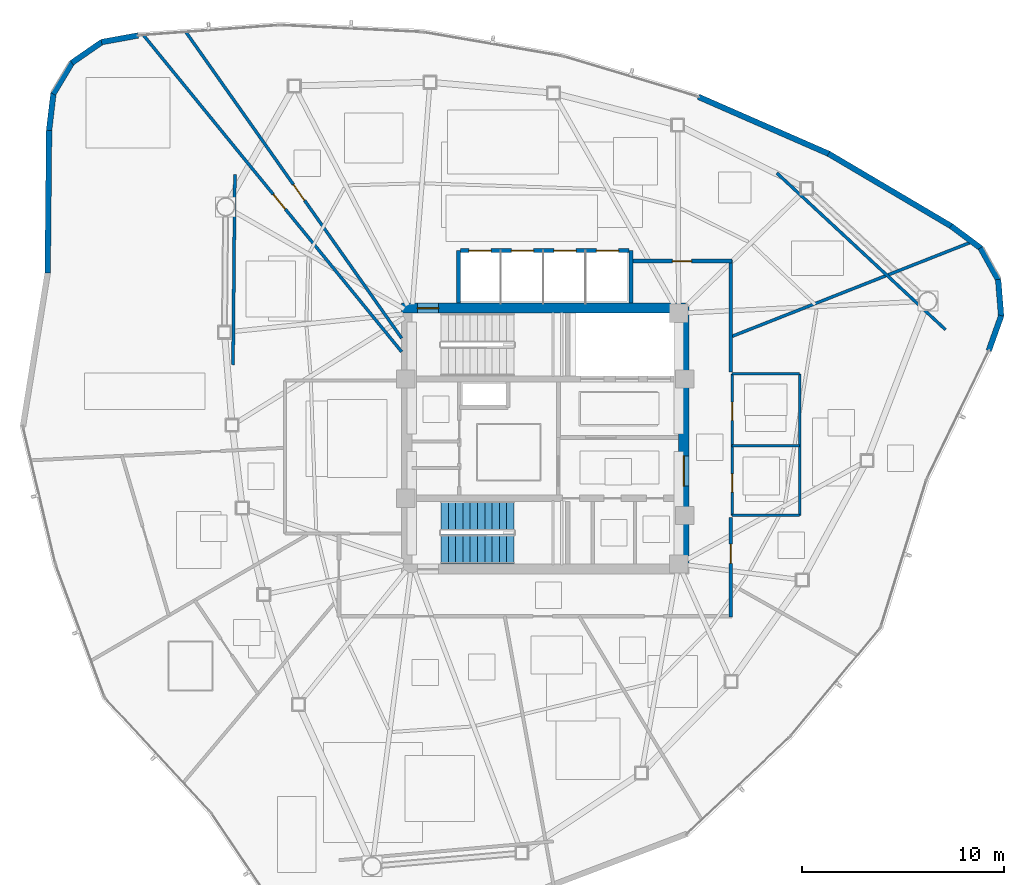
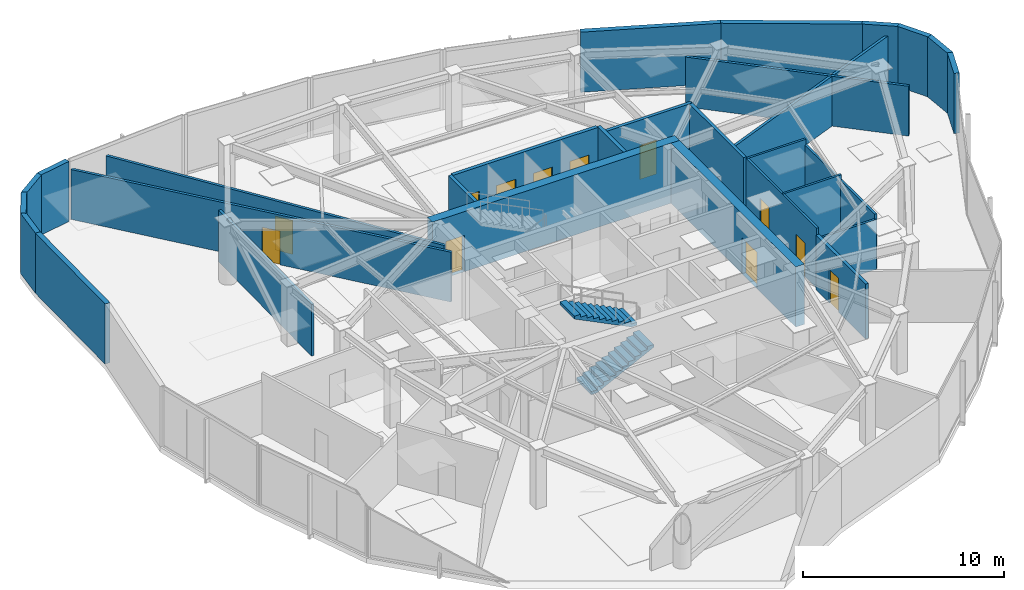
# One storey, part 9 of 13: 29 walls, 12 doors, 2 stair flights, 12 openings, 1 element without a shape of its own.
"""IFC4 building model written with IfcOpenShell, lengths in metres."""

from ifc_helpers import new_model, si_unit, direction, frame, frame_2d, origin, place, context, subcontext, project, spatial, polyline, rectangle, outline, extrude, material, layer, layer_set, type_object, element, fill, aggregate, save


model = new_model("IFC4")

# Units and contexts
model_context = context("Model", 3, precision=1e-05, world=origin(), true_north=direction((0.0, 1.0)))
body_context = subcontext(model_context, "Body", "Model", "MODEL_VIEW")
ifc_project = project(units=[si_unit("LENGTHUNIT", "METRE"), si_unit("AREAUNIT", "SQUARE_METRE"), si_unit("VOLUMEUNIT", "CUBIC_METRE"), si_unit("PLANEANGLEUNIT", "RADIAN"), si_unit("MASSUNIT", "GRAM", prefix="KILO")], contexts=[model_context])

# Site, building, storey
site_placement = place(None, origin())
site = spatial("IfcSite", under=ifc_project, at=site_placement, CompositionType="ELEMENT")
building_placement = place(site_placement, origin())
building = spatial("IfcBuilding", under=site, at=building_placement, Name="Tavelor Broadcast Tower", CompositionType="ELEMENT")
storey_placement = place(building_placement, frame((0.0, 0.0, 237.949951171875)))
storey = spatial("IfcBuildingStorey", under=building, at=storey_placement, Name="L56", CompositionType="ELEMENT", Elevation=237.949951171875)

# Wall, opening, door
ifc_material_1 = material(Name="Concrete C50/60", Category="concrete")
ifc_layer_1 = layer(ifc_material_1, 0.5)
ifc_layer_set_1 = layer_set([ifc_layer_1], Name="Concrete C50/60")
wall_type_1 = type_object("IfcWallType", Name="Core Shear Wall 500 mm", PredefinedType="SHEAR", material=ifc_layer_set_1)
wall_1_placement = place(storey_placement, frame((42.89990234375, 51.449951171875, 0.0), z_axis=(0.0, 0.0, 1.0), x_axis=(1.0, 0.0, 0.0)))
wall_1 = element("IfcWall", 1, at=wall_1_placement, inside=storey, type_object=wall_type_1, Name="L56 Central Core Shear Wall N", PredefinedType="SHEAR", context=body_context, shape_type="SweptSolid", body=[
    extrude(rectangle(XDim=14.2001953125, YDim=0.5, at=frame_2d((7.10009765625, 0.0))), origin(), (0.0, 0.0, 1.0), 3.650146484375),
])
opening_1_placement = place(wall_1_placement, frame((0.780029296875, 0.0, 0.0)))
opening_1 = element("IfcOpeningElement", 2, at=opening_1_placement, cuts=wall_1, Name="Opening DR11", PredefinedType="OPENING", context=body_context, shape_type="SweptSolid", body=[
    extrude(rectangle(XDim=1.050048828125, YDim=2.199951171875, at=frame_2d((0.52490234375, 1.10009765625))), frame((0.0, 0.260009765625, 0.0), z_axis=(0.0, -1.0, 0.0), x_axis=(1.0, 0.0, 0.0)), (0.0, 0.0, 1.0), 0.52001953125),
])
ifc_material_2 = material(Name="Steel S355", Category="steel")
door_type_1 = type_object("IfcDoorType", Name="Stair Core Fire Escape Door 1050x2200", OperationType="NOTDEFINED", PredefinedType="DOOR", material=ifc_material_2)
door_1_placement = place(opening_1_placement, origin())
door_1 = element("IfcDoor", 3, at=door_1_placement, inside=storey, type_object=door_type_1, Name="L56 Stair ST1 Protected Exit Door", OperationType="SINGLE_SWING_LEFT", OverallHeight=2.199951171875, OverallWidth=1.050048828125, PredefinedType="DOOR", context=body_context, shape_type="SweptSolid", body=[
    extrude(rectangle(XDim=1.050048828125, YDim=2.199951171875, at=frame_2d((0.52490234375, 1.10009765625))), frame((0.0, 0.02490234375, 0.0), z_axis=(0.0, -1.0, 0.0), x_axis=(1.0, 0.0, 0.0)), (0.0, 0.0, 1.0), 0.050048828125),
])
fill(opening_1, door_1)

wall_2_placement = place(storey_placement, frame((56.85009765625, 38.800048828125, 0.0), z_axis=(0.0, 0.0, 1.0), x_axis=(0.0, 1.0, 0.0)))
wall_2 = element("IfcWall", 4, at=wall_2_placement, inside=storey, type_object=wall_type_1, Name="L56 Central Core Shear Wall E", PredefinedType="SHEAR", context=body_context, shape_type="SweptSolid", body=[
    extrude(rectangle(XDim=12.39990234375, YDim=0.5, at=frame_2d((6.199951171875, 0.0))), origin(), (0.0, 0.0, 1.0), 3.650146484375),
])
opening_2_placement = place(wall_2_placement, frame((3.85009765625, 0.0, 0.0)))
opening_2 = element("IfcOpeningElement", 5, at=opening_2_placement, cuts=wall_2, Name="Opening DR14", PredefinedType="OPENING", context=body_context, shape_type="SweptSolid", body=[
    extrude(rectangle(XDim=1.5, YDim=2.199951171875, at=frame_2d((0.75, 1.10009765625))), frame((0.0, 0.260009765625, 0.0), z_axis=(0.0, -1.0, 0.0), x_axis=(1.0, 0.0, 0.0)), (0.0, 0.0, 1.0), 0.52001953125),
])
door_type_2 = type_object("IfcDoorType", Name="Firefighting Lobby Double Fire Door 1500x2200", OperationType="NOTDEFINED", PredefinedType="DOOR", material=ifc_material_2)
door_2_placement = place(opening_2_placement, origin())
door_2 = element("IfcDoor", 6, at=door_2_placement, inside=storey, type_object=door_type_2, Name="L56 Central Core Lobby Fire Door", OperationType="SINGLE_SWING_LEFT", OverallHeight=2.199951171875, OverallWidth=1.5, PredefinedType="DOOR", context=body_context, shape_type="SweptSolid", body=[
    extrude(rectangle(XDim=1.5, YDim=2.199951171875, at=frame_2d((0.75, 1.10009765625))), frame((0.0, 0.02490234375, 0.0), z_axis=(0.0, -1.0, 0.0), x_axis=(1.0, 0.0, 0.0)), (0.0, 0.0, 1.0), 0.050048828125),
])
fill(opening_2, door_2)

ifc_material_3 = material(Name="Calcium Silicate Fire Board 180 mm", Category="gypsum")
ifc_layer_2 = layer(ifc_material_3, 0.179931640625)
ifc_layer_set_2 = layer_set([ifc_layer_2], Name="Calcium Silicate Fire Board 180 mm")
wall_type_2 = type_object("IfcWallType", Name="Fire-Rated Corridor Partition Wall 180 mm", PredefinedType="PARTITIONING", material=ifc_layer_set_2)
wall_3_placement = place(storey_placement, frame((54.300048828125, 53.780029296875, 0.0), z_axis=(0.0, 0.0, 1.0), x_axis=(1.0, 0.0, 0.0)))
wall_3 = element("IfcWall", 7, at=wall_3_placement, inside=storey, type_object=wall_type_2, Name="L56 Corridor Compartment Wall 01", PredefinedType="PARTITIONING", context=body_context, shape_type="SweptSolid", body=[
    extrude(rectangle(XDim=4.929931640625, YDim=0.179931640625, at=frame_2d((2.46484375, 0.0))), origin(), (0.0, 0.0, 1.0), 3.650146484375),
])
opening_3_placement = place(wall_3_placement, frame((1.989990234375, 0.0, 0.0)))
opening_3 = element("IfcOpeningElement", 8, at=opening_3_placement, cuts=wall_3, Name="Opening DR18", PredefinedType="OPENING", context=body_context, shape_type="SweptSolid", body=[
    extrude(rectangle(XDim=0.949951171875, YDim=2.050048828125, at=frame_2d((0.47509765625, 1.02490234375))), frame((0.0, 0.10009765625, 0.0), z_axis=(0.0, -1.0, 0.0), x_axis=(1.0, 0.0, 0.0)), (0.0, 0.0, 1.0), 0.199951171875),
])
ifc_material_4 = material(Name="Timber Solid Core Hardwood", Category="wood")
door_type_3 = type_object("IfcDoorType", Name="Corridor Rated Compartment Door 950x2050", OperationType="NOTDEFINED", PredefinedType="DOOR", material=ifc_material_4)
door_3_placement = place(opening_3_placement, origin())
door_3 = element("IfcDoor", 9, at=door_3_placement, inside=storey, type_object=door_type_3, Name="L56 Broadcast Crew Room Door R7", OperationType="SINGLE_SWING_RIGHT", OverallHeight=2.050048828125, OverallWidth=0.949951171875, PredefinedType="DOOR", context=body_context, shape_type="SweptSolid", body=[
    extrude(rectangle(XDim=0.949951171875, YDim=2.050048828125, at=frame_2d((0.47509765625, 1.02490234375))), frame((0.0, 0.02490234375, 0.0), z_axis=(0.0, -1.0, 0.0), x_axis=(1.0, 0.0, 0.0)), (0.0, 0.0, 1.0), 0.050048828125),
])
fill(opening_3, door_3)

# Wall
wall_4_placement = place(storey_placement, frame((59.179931640625, 53.830078125, 0.0), z_axis=(0.0, 0.0, 1.0), x_axis=(0.0, -1.0, 0.0)))
element("IfcWall", 10, at=wall_4_placement, inside=storey, type_object=wall_type_2, Name="L56 Corridor Compartment Wall 02", PredefinedType="PARTITIONING", context=body_context, shape_type="SweptSolid", body=[
    extrude(rectangle(XDim=5.530029296875, YDim=0.179931640625, at=frame_2d((2.76513671875, 0.0))), origin(), (0.0, 0.0, 1.0), 3.650146484375),
])

# Wall, opening, door
wall_5_placement = place(storey_placement, frame((59.179931640625, 41.10009765625, 0.0), z_axis=(0.0, 0.0, 1.0), x_axis=(0.0, -1.0, 0.0)))
wall_5 = element("IfcWall", 11, at=wall_5_placement, inside=storey, type_object=wall_type_2, Name="L56 Corridor Compartment Wall 03", PredefinedType="PARTITIONING", context=body_context, shape_type="SweptSolid", body=[
    extrude(rectangle(XDim=4.93017578125, YDim=0.179931640625, at=frame_2d((2.465087890625, 0.0))), origin(), (0.0, 0.0, 1.0), 3.324951171875),
])
opening_4_placement = place(wall_5_placement, frame((1.315673828125, 0.0, 0.0)))
opening_4 = element("IfcOpeningElement", 12, at=opening_4_placement, cuts=wall_5, Name="Opening DR18", PredefinedType="OPENING", context=body_context, shape_type="SweptSolid", body=[
    extrude(rectangle(XDim=0.949951171875, YDim=2.050048828125, at=frame_2d((0.47509765625, 1.02490234375))), frame((0.0, 0.10009765625, 0.0), z_axis=(0.0, -1.0, 0.0), x_axis=(1.0, 0.0, 0.0)), (0.0, 0.0, 1.0), 0.199951171875),
])
door_4_placement = place(opening_4_placement, origin())
door_4 = element("IfcDoor", 13, at=door_4_placement, inside=storey, type_object=door_type_3, Name="L56 Standards Huddle Room Door R8", OperationType="SINGLE_SWING_LEFT", OverallHeight=2.050048828125, OverallWidth=0.949951171875, PredefinedType="DOOR", context=body_context, shape_type="SweptSolid", body=[
    extrude(rectangle(XDim=0.949951171875, YDim=2.050048828125, at=frame_2d((0.47509765625, 1.02490234375))), frame((0.0, 0.02490234375, 0.0), z_axis=(0.0, -1.0, 0.0), x_axis=(1.0, 0.0, 0.0)), (0.0, 0.0, 1.0), 0.050048828125),
])
fill(opening_4, door_4)

# Walls
ifc_material_5 = material(Name="Precast Concrete C40/50", Category="concrete")
ifc_layer_3 = layer(ifc_material_5, 0.280029296875)
ifc_layer_set_3 = layer_set([ifc_layer_3], Name="Precast Concrete C40/50")
wall_type_3 = type_object("IfcWallType", Name="Insulated Precast Terracotta Facade Wall 280 mm", PredefinedType="STANDARD", material=ifc_layer_set_3)
wall_6_placement = place(storey_placement, frame((29.8662109375, 64.9365234375, 0.0), z_axis=(0.0, 0.0, 1.0), x_axis=(-0.983739710088, -0.17960006346, 0.0)))
element("IfcWall", 14, at=wall_6_placement, inside=storey, type_object=wall_type_3, Name="L56 Rounded Corner Structural Cladding Pier 01", PredefinedType="STANDARD", context=body_context, shape_type="SweptSolid", body=[
    extrude(rectangle(XDim=1.833740234375, YDim=0.280029296875, at=frame_2d((0.9169921875, 0.0))), origin(), (0.0, 0.0, 1.0), 3.650146484375),
])
wall_7_placement = place(storey_placement, frame((28.08935546875, 64.618408203125, 0.0), z_axis=(0.0, 0.0, 1.0), x_axis=(-0.822573078876, -0.568659414684, 0.0)))
element("IfcWall", 15, at=wall_7_placement, inside=storey, type_object=wall_type_3, Name="L56 Rounded Corner Structural Cladding Pier 02", PredefinedType="STANDARD", context=body_context, shape_type="SweptSolid", body=[
    extrude(rectangle(XDim=1.822021484375, YDim=0.280029296875, at=frame_2d((0.9111328125, 0.0))), origin(), (0.0, 0.0, 1.0), 3.650146484375),
])
wall_8_placement = place(storey_placement, frame((26.610595703125, 63.603759765625, 0.0), z_axis=(0.0, 0.0, 1.0), x_axis=(-0.515775755585, -0.856723625186, 0.0)))
element("IfcWall", 16, at=wall_8_placement, inside=storey, type_object=wall_type_3, Name="L56 Rounded Corner Structural Cladding Pier 03", PredefinedType="STANDARD", context=body_context, shape_type="SweptSolid", body=[
    extrude(rectangle(XDim=1.822265625, YDim=0.280029296875, at=frame_2d((0.9111328125, 0.0))), origin(), (0.0, 0.0, 1.0), 3.650146484375),
])
wall_9_placement = place(storey_placement, frame((25.68017578125, 62.0703125, 0.0), z_axis=(0.0, 0.0, 1.0), x_axis=(-0.117516916599, -0.99307088081, 0.0)))
element("IfcWall", 17, at=wall_9_placement, inside=storey, type_object=wall_type_3, Name="L56 Rounded Corner Structural Cladding Pier 04", PredefinedType="STANDARD", context=body_context, shape_type="SweptSolid", body=[
    extrude(rectangle(XDim=1.8447265625, YDim=0.280029296875, at=frame_2d((0.92236328125, 0.0))), origin(), (0.0, 0.0, 1.0), 3.650146484375),
])
wall_10_placement = place(storey_placement, frame((25.465087890625, 60.268310546875, 0.0), z_axis=(0.0, 0.0, 1.0), x_axis=(-0.010063250538, -0.999949364212, 0.0)))
element("IfcWall", 18, at=wall_10_placement, inside=storey, type_object=wall_type_3, Name="L56 Rounded Corner Structural Cladding Pier 05", PredefinedType="STANDARD", context=body_context, shape_type="SweptSolid", body=[
    extrude(rectangle(XDim=7.083984375, YDim=0.280029296875, at=frame_2d((3.5419921875, 0.0))), origin(), (0.0, 0.0, 1.0), 3.650146484375),
])
wall_11_placement = place(storey_placement, frame((71.932373046875, 49.350341796875, 0.0), z_axis=(0.0, 0.0, 1.0), x_axis=(0.336403861594, 0.941717814371, 0.0)))
element("IfcWall", 19, at=wall_11_placement, inside=storey, type_object=wall_type_3, Name="L56 Rounded Corner Structural Cladding Pier 21", PredefinedType="STANDARD", context=body_context, shape_type="SweptSolid", body=[
    extrude(rectangle(XDim=1.833984375, YDim=0.280029296875, at=frame_2d((0.9169921875, 0.0))), origin(), (0.0, 0.0, 1.0), 3.650146484375),
])
wall_12_placement = place(storey_placement, frame((72.54541015625, 51.048095703125, 0.0), z_axis=(0.0, 0.0, 1.0), x_axis=(-0.081049675837, 0.996710063181, 0.0)))
element("IfcWall", 20, at=wall_12_placement, inside=storey, type_object=wall_type_3, Name="L56 Rounded Corner Structural Cladding Pier 22", PredefinedType="STANDARD", context=body_context, shape_type="SweptSolid", body=[
    extrude(rectangle(XDim=1.822509765625, YDim=0.280029296875, at=frame_2d((0.9111328125, 0.0))), origin(), (0.0, 0.0, 1.0), 3.650146484375),
])
wall_13_placement = place(storey_placement, frame((72.406005859375, 52.83642578125, 0.0), z_axis=(0.0, 0.0, 1.0), x_axis=(-0.484072298636, 0.875028005091, 0.0)))
element("IfcWall", 21, at=wall_13_placement, inside=storey, type_object=wall_type_3, Name="L56 Rounded Corner Structural Cladding Pier 23", PredefinedType="STANDARD", context=body_context, shape_type="SweptSolid", body=[
    extrude(rectangle(XDim=1.822265625, YDim=0.280029296875, at=frame_2d((0.9111328125, 0.0))), origin(), (0.0, 0.0, 1.0), 3.650146484375),
])
wall_14_placement = place(storey_placement, frame((71.543212890625, 54.40869140625, 0.0), z_axis=(0.0, 0.0, 1.0), x_axis=(-0.801173626073, 0.598431968468, 0.0)))
element("IfcWall", 22, at=wall_14_placement, inside=storey, type_object=wall_type_3, Name="L56 Rounded Corner Structural Cladding Pier 24", PredefinedType="STANDARD", context=body_context, shape_type="SweptSolid", body=[
    extrude(rectangle(XDim=1.8447265625, YDim=0.280029296875, at=frame_2d((0.92236328125, 0.0))), origin(), (0.0, 0.0, 1.0), 3.650146484375),
])
wall_15_placement = place(storey_placement, frame((70.090087890625, 55.49609375, 0.0), z_axis=(0.0, 0.0, 1.0), x_axis=(-0.860964362872, 0.508665278807, 0.0)))
element("IfcWall", 23, at=wall_15_placement, inside=storey, type_object=wall_type_3, Name="L56 Rounded Corner Structural Cladding Pier 25", PredefinedType="STANDARD", context=body_context, shape_type="SweptSolid", body=[
    extrude(rectangle(XDim=7.06494140625, YDim=0.280029296875, at=frame_2d((3.532470703125, 0.0))), origin(), (0.0, 0.0, 1.0), 3.650146484375),
])
wall_16_placement = place(storey_placement, frame((64.033935546875, 59.076171875, 0.0), z_axis=(0.0, 0.0, 1.0), x_axis=(-0.916179577636, 0.400767989643, 0.0)))
element("IfcWall", 24, at=wall_16_placement, inside=storey, type_object=wall_type_3, Name="L56 Rounded Corner Structural Cladding Pier 26", PredefinedType="STANDARD", context=body_context, shape_type="SweptSolid", body=[
    extrude(rectangle(XDim=7.05322265625, YDim=0.280029296875, at=frame_2d((3.526611328125, 0.0))), origin(), (0.0, 0.0, 1.0), 3.650146484375),
])
ifc_material_6 = material(Name="Gypsum Acoustic Plasterboard 150 mm", Category="gypsum")
ifc_layer_4 = layer(ifc_material_6, 0.14990234375)
ifc_layer_set_4 = layer_set([ifc_layer_4], Name="Gypsum Acoustic Plasterboard 150 mm")
wall_type_4 = type_object("IfcWallType", Name="Interior Acoustic Partition Wall 150 mm", PredefinedType="PARTITIONING", material=ifc_layer_set_4)
wall_17_placement = place(storey_placement, frame((34.651611328125, 58.0556640625, 0.0), z_axis=(0.0, 0.0, 1.0), x_axis=(-0.009553538759, -0.999954363907, 0.0)))
element("IfcWall", 25, at=wall_17_placement, inside=storey, type_object=wall_type_4, Name="L56 Corner Tube Brace Furring Wall 1", PredefinedType="PARTITIONING", context=body_context, shape_type="SweptSolid", body=[
    extrude(rectangle(XDim=9.404296875, YDim=0.14990234375, at=frame_2d((4.7021484375, 0.0))), origin(), (0.0, 0.0, 1.0), 3.135009765625),
])
wall_18_placement = place(storey_placement, frame((69.79248046875, 50.387939453125, 0.0), z_axis=(0.0, 0.0, 1.0), x_axis=(-0.732769799181, 0.680476613418, 0.0)))
element("IfcWall", 26, at=wall_18_placement, inside=storey, type_object=wall_type_4, Name="L56 Corner Tube Brace Furring Wall 3", PredefinedType="PARTITIONING", context=body_context, shape_type="SweptSolid", body=[
    extrude(rectangle(XDim=11.377685546875, YDim=0.14990234375, at=frame_2d((5.68896484375, 0.0))), origin(), (0.0, 0.0, 1.0), 3.025146484375),
])
wall_19_placement = place(storey_placement, frame((59.179931640625, 50.0341796875, 0.0), z_axis=(0.0, 0.0, 1.0), x_axis=(0.930421367736, 0.366491580339, 0.0)))
element("IfcWall", 27, at=wall_19_placement, inside=storey, type_object=wall_type_4, Name="L56 Radial Compartment Wall 01", PredefinedType="PARTITIONING", context=body_context, shape_type="SweptSolid", body=[
    extrude(rectangle(XDim=12.832763671875, YDim=0.14990234375, at=frame_2d((6.41650390625, 0.0))), origin(), (0.0, 0.0, 1.0), 3.025146484375),
])

# Wall, opening, door
wall_20_placement = place(storey_placement, frame((42.89990234375, 49.9658203125, 0.0), z_axis=(0.0, 0.0, 1.0), x_axis=(-0.576086344137, 0.817388845103, 0.0)))
wall_20 = element("IfcWall", 28, at=wall_20_placement, inside=storey, type_object=wall_type_4, Name="L56 Radial Compartment Wall 02", PredefinedType="PARTITIONING", context=body_context, shape_type="SweptSolid", body=[
    extrude(rectangle(XDim=18.53759765625, YDim=0.14990234375, at=frame_2d((9.268798828125, 0.0))), origin(), (0.0, 0.0, 1.0), 3.025146484375),
])
opening_5_placement = place(wall_20_placement, frame((8.341796875, 0.0, 0.0)))
opening_5 = element("IfcOpeningElement", 29, at=opening_5_placement, cuts=wall_20, Name="Opening DR18", PredefinedType="OPENING", context=body_context, shape_type="SweptSolid", body=[
    extrude(rectangle(XDim=0.949951171875, YDim=2.050048828125, at=frame_2d((0.47509765625, 1.02490234375))), frame((0.0, 0.0849609375, 0.0), z_axis=(0.0, -1.0, 0.0), x_axis=(1.0, 0.0, 0.0)), (0.0, 0.0, 1.0), 0.169921875),
])
door_5_placement = place(opening_5_placement, origin())
door_5 = element("IfcDoor", 30, at=door_5_placement, inside=storey, type_object=door_type_3, Name="L56 Suite Connecting Door 6", OperationType="SINGLE_SWING_LEFT", OverallHeight=2.050048828125, OverallWidth=0.949951171875, PredefinedType="DOOR", context=body_context, shape_type="SweptSolid", body=[
    extrude(rectangle(XDim=0.949951171875, YDim=2.050048828125, at=frame_2d((0.47509765625, 1.02490234375))), frame((0.0, 0.02490234375, 0.0), z_axis=(0.0, -1.0, 0.0), x_axis=(1.0, 0.0, 0.0)), (0.0, 0.0, 1.0), 0.050048828125),
])
fill(opening_5, door_5)

wall_21_placement = place(storey_placement, frame((42.89990234375, 49.2919921875, 0.0), z_axis=(0.0, 0.0, 1.0), x_axis=(-0.631970108663, 0.77499276239, 0.0)))
wall_21 = element("IfcWall", 31, at=wall_21_placement, inside=storey, type_object=wall_type_4, Name="L56 Radial Compartment Wall 03", PredefinedType="PARTITIONING", context=body_context, shape_type="SweptSolid", body=[
    extrude(rectangle(XDim=20.222900390625, YDim=0.14990234375, at=frame_2d((10.111328125, 0.0))), origin(), (0.0, 0.0, 1.0), 3.025146484375),
])
opening_6_placement = place(wall_21_placement, frame((9.100341796875, 0.0, 0.0)))
opening_6 = element("IfcOpeningElement", 32, at=opening_6_placement, cuts=wall_21, Name="Opening DR18", PredefinedType="OPENING", context=body_context, shape_type="SweptSolid", body=[
    extrude(rectangle(XDim=0.949951171875, YDim=2.050048828125, at=frame_2d((0.47509765625, 1.02490234375))), frame((0.0, 0.0849609375, 0.0), z_axis=(0.0, -1.0, 0.0), x_axis=(1.0, 0.0, 0.0)), (0.0, 0.0, 1.0), 0.169921875),
])
door_6_placement = place(opening_6_placement, origin())
door_6 = element("IfcDoor", 33, at=door_6_placement, inside=storey, type_object=door_type_3, Name="L56 Suite Connecting Door 5", OperationType="SINGLE_SWING_RIGHT", OverallHeight=2.050048828125, OverallWidth=0.949951171875, PredefinedType="DOOR", context=body_context, shape_type="SweptSolid", body=[
    extrude(rectangle(XDim=0.949951171875, YDim=2.050048828125, at=frame_2d((0.47509765625, 1.02490234375))), frame((0.0, 0.02490234375, 0.0), z_axis=(0.0, -1.0, 0.0), x_axis=(1.0, 0.0, 0.0)), (0.0, 0.0, 1.0), 0.050048828125),
])
fill(opening_6, door_6)

# Wall, openings, doors
ifc_material_7 = material(Name="Concrete Blockwork 200 mm", Category="masonry")
ifc_layer_5 = layer(ifc_material_7, 0.199951171875)
ifc_layer_set_5 = layer_set([ifc_layer_5], Name="Concrete Blockwork 200 mm")
wall_type_5 = type_object("IfcWallType", Name="Lift Hoistway Rated Front Wall 200 mm", PredefinedType="PARTITIONING", material=ifc_layer_set_5)
wall_22_placement = place(storey_placement, frame((45.820068359375, 54.300048828125, 0.0), z_axis=(0.0, 0.0, 1.0), x_axis=(1.0, 0.0, 0.0)))
wall_22 = element("IfcWall", 34, at=wall_22_placement, inside=storey, type_object=wall_type_5, Name="L56 High-Rise Lift Hoistway Front Wall", PredefinedType="PARTITIONING", context=body_context, shape_type="SweptSolid", body=[
    extrude(rectangle(XDim=8.309814453125, YDim=0.199951171875, at=frame_2d((4.15478515625, 0.0))), origin(), (0.0, 0.0, 1.0), 3.650146484375),
])
opening_7_placement = place(wall_22_placement, frame((0.405029296875, 0.0, 0.0)))
opening_7 = element("IfcOpeningElement", 35, at=opening_7_placement, cuts=wall_22, Name="Opening LD01", PredefinedType="OPENING", context=body_context, shape_type="SweptSolid", body=[
    extrude(rectangle(XDim=1.10009765625, YDim=2.14990234375, at=frame_2d((0.550048828125, 1.074951171875))), frame((0.0, 0.10986328125, 0.0), z_axis=(0.0, -1.0, 0.0), x_axis=(1.0, 0.0, 0.0)), (0.0, 0.0, 1.0), 0.219970703125),
])
opening_8_placement = place(wall_22_placement, frame((2.5048828125, 0.0, 0.0)))
opening_8 = element("IfcOpeningElement", 36, at=opening_8_placement, cuts=wall_22, Name="Opening LD01", PredefinedType="OPENING", context=body_context, shape_type="SweptSolid", body=[
    extrude(rectangle(XDim=1.10009765625, YDim=2.14990234375, at=frame_2d((0.550048828125, 1.074951171875))), frame((0.0, 0.10986328125, 0.0), z_axis=(0.0, -1.0, 0.0), x_axis=(1.0, 0.0, 0.0)), (0.0, 0.0, 1.0), 0.219970703125),
])
opening_9_placement = place(wall_22_placement, frame((4.60498046875, 0.0, 0.0)))
opening_9 = element("IfcOpeningElement", 37, at=opening_9_placement, cuts=wall_22, Name="Opening LD01", PredefinedType="OPENING", context=body_context, shape_type="SweptSolid", body=[
    extrude(rectangle(XDim=1.10009765625, YDim=2.14990234375, at=frame_2d((0.550048828125, 1.074951171875))), frame((0.0, 0.10986328125, 0.0), z_axis=(0.0, -1.0, 0.0), x_axis=(1.0, 0.0, 0.0)), (0.0, 0.0, 1.0), 0.219970703125),
])
opening_10_placement = place(wall_22_placement, frame((6.705078125, 0.0, 0.0)))
opening_10 = element("IfcOpeningElement", 38, at=opening_10_placement, cuts=wall_22, Name="Opening LD01", PredefinedType="OPENING", context=body_context, shape_type="SweptSolid", body=[
    extrude(rectangle(XDim=1.10009765625, YDim=2.14990234375, at=frame_2d((0.550048828125, 1.074951171875))), frame((0.0, 0.10986328125, 0.0), z_axis=(0.0, -1.0, 0.0), x_axis=(1.0, 0.0, 0.0)), (0.0, 0.0, 1.0), 0.219970703125),
])
ifc_material_8 = material(Name="Brushed Stainless Steel", Category="steel")
door_type_4 = type_object("IfcDoorType", Name="Passenger Lift Sliding Landing Door 1100x2150", OperationType="NOTDEFINED", PredefinedType="DOOR", material=ifc_material_8)
door_7_placement = place(opening_7_placement, origin())
door_7 = element("IfcDoor", 39, at=door_7_placement, inside=storey, type_object=door_type_4, Name="L56 Lift PLH1 Sliding Landing Door", OperationType="SLIDING_TO_LEFT", OverallHeight=2.14990234375, OverallWidth=1.10009765625, PredefinedType="DOOR", context=body_context, shape_type="SweptSolid", body=[
    extrude(rectangle(XDim=1.10009765625, YDim=2.14990234375, at=frame_2d((0.550048828125, 1.074951171875))), frame((0.0, 0.02490234375, 0.0), z_axis=(0.0, -1.0, 0.0), x_axis=(1.0, 0.0, 0.0)), (0.0, 0.0, 1.0), 0.050048828125),
])
fill(opening_7, door_7)
door_8_placement = place(opening_8_placement, origin())
door_8 = element("IfcDoor", 40, at=door_8_placement, inside=storey, type_object=door_type_4, Name="L56 Lift PLH2 Sliding Landing Door", OperationType="SLIDING_TO_RIGHT", OverallHeight=2.14990234375, OverallWidth=1.10009765625, PredefinedType="DOOR", context=body_context, shape_type="SweptSolid", body=[
    extrude(rectangle(XDim=1.10009765625, YDim=2.14990234375, at=frame_2d((0.550048828125, 1.074951171875))), frame((0.0, 0.02490234375, 0.0), z_axis=(0.0, -1.0, 0.0), x_axis=(1.0, 0.0, 0.0)), (0.0, 0.0, 1.0), 0.050048828125),
])
fill(opening_8, door_8)
door_9_placement = place(opening_9_placement, origin())
door_9 = element("IfcDoor", 41, at=door_9_placement, inside=storey, type_object=door_type_4, Name="L56 Lift PLH3 Sliding Landing Door", OperationType="SLIDING_TO_LEFT", OverallHeight=2.14990234375, OverallWidth=1.10009765625, PredefinedType="DOOR", context=body_context, shape_type="SweptSolid", body=[
    extrude(rectangle(XDim=1.10009765625, YDim=2.14990234375, at=frame_2d((0.550048828125, 1.074951171875))), frame((0.0, 0.02490234375, 0.0), z_axis=(0.0, -1.0, 0.0), x_axis=(1.0, 0.0, 0.0)), (0.0, 0.0, 1.0), 0.050048828125),
])
fill(opening_9, door_9)
door_10_placement = place(opening_10_placement, origin())
door_10 = element("IfcDoor", 42, at=door_10_placement, inside=storey, type_object=door_type_4, Name="L56 Lift PLH4 Sliding Landing Door", OperationType="SLIDING_TO_RIGHT", OverallHeight=2.14990234375, OverallWidth=1.10009765625, PredefinedType="DOOR", context=body_context, shape_type="SweptSolid", body=[
    extrude(rectangle(XDim=1.10009765625, YDim=2.14990234375, at=frame_2d((0.550048828125, 1.074951171875))), frame((0.0, 0.02490234375, 0.0), z_axis=(0.0, -1.0, 0.0), x_axis=(1.0, 0.0, 0.0)), (0.0, 0.0, 1.0), 0.050048828125),
])
fill(opening_10, door_10)

# Walls
ifc_layer_6 = layer(ifc_material_7, 0.199951171875)
ifc_layer_set_6 = layer_set([ifc_layer_6], Name="Concrete Blockwork 200 mm")
wall_type_6 = type_object("IfcWallType", Name="Lift and Riser Shaft Enclosure Wall 200 mm", PredefinedType="PARTITIONING", material=ifc_layer_set_6)
for number, where, z_axis, x_axis, name in (
    (43, (45.699951171875, 51.699951171875, 0.0), (0.0, 0.0, 1.0), (0.0, 1.0, 0.0), "L56 High-Rise Lift Shaft West Wall"),
    (44, (54.25, 51.699951171875, 0.0), (0.0, 0.0, 1.0), (0.0, 1.0, 0.0), "L56 High-Rise Lift Shaft East Wall"),
):
    element("IfcWall", number, at=place(storey_placement, frame(where, z_axis=z_axis, x_axis=x_axis)), inside=storey, type_object=wall_type_6, Name=name, PredefinedType="PARTITIONING", context=body_context, shape_type="SweptSolid", body=[
        extrude(rectangle(XDim=2.60009765625, YDim=0.199951171875, at=frame_2d((1.300048828125, 0.0))), origin(), (0.0, 0.0, 1.0), 3.650146484375),
    ])

# Wall, openings, doors
ifc_material_9 = material(Name="Moisture-Resistant Plasterboard 120 mm", Category="gypsum")
ifc_layer_7 = layer(ifc_material_9, 0.1201171875)
ifc_layer_set_7 = layer_set([ifc_layer_7], Name="Moisture-Resistant Plasterboard 120 mm")
wall_type_7 = type_object("IfcWallType", Name="Moisture-Resistant Wet-Room Partition 120 mm", PredefinedType="PARTITIONING", material=ifc_layer_set_7)
wall_23_placement = place(storey_placement, frame((59.239990234375, 41.199951171875, 0.0), z_axis=(0.0, 0.0, 1.0), x_axis=(0.0, 1.0, 0.0)))
wall_23 = element("IfcWall", 45, at=wall_23_placement, inside=storey, type_object=wall_type_7, Name="L56 Floor Washrooms West Wall", PredefinedType="PARTITIONING", context=body_context, shape_type="SweptSolid", body=[
    extrude(rectangle(XDim=7.0, YDim=0.1201171875, at=frame_2d((3.5, 0.0))), origin(), (0.0, 0.0, 1.0), 3.650146484375),
])
opening_11_placement = place(wall_23_placement, frame((1.14990234375, 0.0, 0.0)))
opening_11 = element("IfcOpeningElement", 46, at=opening_11_placement, cuts=wall_23, Name="Opening DR32", PredefinedType="OPENING", context=body_context, shape_type="SweptSolid", body=[
    extrude(rectangle(XDim=0.89990234375, YDim=2.050048828125, at=frame_2d((0.449951171875, 1.02490234375))), frame((0.0, 0.070068359375, 0.0), z_axis=(0.0, -1.0, 0.0), x_axis=(1.0, 0.0, 0.0)), (0.0, 0.0, 1.0), 0.14013671875),
])
opening_12_placement = place(wall_23_placement, frame((4.699951171875, 0.0, 0.0)))
opening_12 = element("IfcOpeningElement", 47, at=opening_12_placement, cuts=wall_23, Name="Opening DR32", PredefinedType="OPENING", context=body_context, shape_type="SweptSolid", body=[
    extrude(rectangle(XDim=0.89990234375, YDim=2.050048828125, at=frame_2d((0.449951171875, 1.02490234375))), frame((0.0, 0.070068359375, 0.0), z_axis=(0.0, -1.0, 0.0), x_axis=(1.0, 0.0, 0.0)), (0.0, 0.0, 1.0), 0.14013671875),
])
door_type_5 = type_object("IfcDoorType", Name="Accessible Washroom Door 900x2050", OperationType="NOTDEFINED", PredefinedType="DOOR", material=ifc_material_4)
door_11_placement = place(opening_11_placement, origin())
door_11 = element("IfcDoor", 48, at=door_11_placement, inside=storey, type_object=door_type_5, Name="L56 Accessible WC Door", OperationType="SINGLE_SWING_LEFT", OverallHeight=2.050048828125, OverallWidth=0.89990234375, PredefinedType="DOOR", context=body_context, shape_type="SweptSolid", body=[
    extrude(rectangle(XDim=0.89990234375, YDim=2.050048828125, at=frame_2d((0.449951171875, 1.02490234375))), frame((0.0, 0.02490234375, 0.0), z_axis=(0.0, -1.0, 0.0), x_axis=(1.0, 0.0, 0.0)), (0.0, 0.0, 1.0), 0.050048828125),
])
fill(opening_11, door_11)
door_12_placement = place(opening_12_placement, origin())
door_12 = element("IfcDoor", 49, at=door_12_placement, inside=storey, type_object=door_type_5, Name="L56 Staff Washroom WC Door", OperationType="SINGLE_SWING_RIGHT", OverallHeight=2.050048828125, OverallWidth=0.89990234375, PredefinedType="DOOR", context=body_context, shape_type="SweptSolid", body=[
    extrude(rectangle(XDim=0.89990234375, YDim=2.050048828125, at=frame_2d((0.449951171875, 1.02490234375))), frame((0.0, 0.02490234375, 0.0), z_axis=(0.0, -1.0, 0.0), x_axis=(1.0, 0.0, 0.0)), (0.0, 0.0, 1.0), 0.050048828125),
])
fill(opening_12, door_12)

# Walls
wall_24_placement = place(storey_placement, frame((59.239990234375, 41.199951171875, 0.0), z_axis=(0.0, 0.0, 1.0), x_axis=(1.0, 0.0, 0.0)))
element("IfcWall", 50, at=wall_24_placement, inside=storey, type_object=wall_type_7, Name="L56 Floor Washrooms South Wall", PredefinedType="PARTITIONING", context=body_context, shape_type="SweptSolid", body=[
    extrude(rectangle(XDim=3.340087890625, YDim=0.1201171875, at=frame_2d((1.669921875, 0.0))), origin(), (0.0, 0.0, 1.0), 3.025146484375),
])
for number, where, z_axis, x_axis, name in (
    (51, (59.239990234375, 44.64990234375, 0.0), (0.0, 0.0, 1.0), (1.0, 0.0, 0.0), "L56 Floor Washrooms Divider Wall"),
    (52, (59.239990234375, 48.199951171875, 0.0), (0.0, 0.0, 1.0), (1.0, 0.0, 0.0), "L56 Floor Washrooms North Wall"),
):
    element("IfcWall", number, at=place(storey_placement, frame(where, z_axis=z_axis, x_axis=x_axis)), inside=storey, type_object=wall_type_7, Name=name, PredefinedType="PARTITIONING", context=body_context, shape_type="SweptSolid", body=[
        extrude(rectangle(XDim=3.340087890625, YDim=0.1201171875, at=frame_2d((1.669921875, 0.0))), origin(), (0.0, 0.0, 1.0), 3.650146484375),
    ])
wall_25_placement = place(storey_placement, frame((62.580078125, 41.199951171875, 0.0), z_axis=(0.0, 0.0, 1.0), x_axis=(0.0, 1.0, 0.0)))
element("IfcWall", 53, at=wall_25_placement, inside=storey, type_object=wall_type_7, Name="L56 Floor Washrooms East Wall", PredefinedType="PARTITIONING", context=body_context, shape_type="SweptSolid", body=[
    extrude(rectangle(XDim=7.0, YDim=0.1201171875, at=frame_2d((3.5, 0.0))), origin(), (0.0, 0.0, 1.0), 3.324951171875),
])

# Stair, stair flights
ifc_material_10 = material(Name="Concrete C40/50", Category="concrete")
stair_type = type_object("IfcStairType", Name="Reinforced Concrete Protected Dogleg Stair 1450 mm", PredefinedType="HALF_TURN_STAIR", material=ifc_material_10)
stair_placement = place(storey_placement, origin())
stair = element("IfcStair", 54, at=stair_placement, inside=storey, type_object=stair_type, Name="L56 Protected Core Exit Stair ST2", PredefinedType="HALF_TURN_STAIR")
stair_flight_type = type_object("IfcStairFlightType", Name="Reinforced Concrete Stair Flight 1450 mm", PredefinedType="STRAIGHT", material=ifc_material_10)
stair_flight_1_placement = place(storey_placement, frame((44.85009765625, 39.52490234375, 0.0), z_axis=(0.0, 0.0, 1.0), x_axis=(1.0, 0.0, 0.0)))
stair_flight_1 = element("IfcStairFlight", 55, at=stair_flight_1_placement, type_object=stair_flight_type, Name="ST2 flight 1", NumberOfRisers=11, NumberOfTreads=10, PredefinedType="STRAIGHT", RiserHeight=0.179545455, TreadLength=0.36, context=body_context, shape_type="SweptSolid", body=[
    extrude(outline(polyline([(0.0, 0.0), (0.0, 0.179443359375), (0.360107421875, 0.179443359375), (0.360107421875, 0.359130859375), (0.719970703125, 0.359130859375), (0.719970703125, 0.53857421875), (1.080078125, 0.53857421875), (1.080078125, 0.71826171875), (1.43994140625, 0.71826171875), (1.43994140625, 0.897705078125), (1.800048828125, 0.897705078125), (1.800048828125, 1.077392578125), (2.159912109375, 1.077392578125), (2.159912109375, 1.2568359375), (2.52001953125, 1.2568359375), (2.52001953125, 1.436279296875), (2.8798828125, 1.436279296875), (2.8798828125, 1.615966796875), (3.239990234375, 1.615966796875), (3.239990234375, 1.79541015625), (3.60009765625, 1.79541015625), (3.60009765625, 1.97509765625), (3.60009765625, 1.6279296875), (0.3359375, 0.0), (0.0, 0.0)])), frame((0.0, 0.72509765625, 0.0), z_axis=(0.0, -1.0, 0.0), x_axis=(1.0, 0.0, 0.0)), (0.0, 0.0, 1.0), 1.449951171875),
])
stair_flight_2_placement = place(storey_placement, frame((48.449951171875, 41.175048828125, 1.97509765625), z_axis=(0.0, 0.0, 1.0), x_axis=(-1.0, 0.0, 0.0)))
stair_flight_2 = element("IfcStairFlight", 56, at=stair_flight_2_placement, type_object=stair_flight_type, Name="ST2 flight 2", NumberOfRisers=11, NumberOfTreads=10, PredefinedType="STRAIGHT", RiserHeight=0.179545455, TreadLength=0.36, context=body_context, shape_type="SweptSolid", body=[
    extrude(outline(polyline([(0.0, 0.0), (0.0, 0.179443359375), (0.360107421875, 0.179443359375), (0.360107421875, 0.359130859375), (0.719970703125, 0.359130859375), (0.719970703125, 0.53857421875), (1.080078125, 0.53857421875), (1.080078125, 0.71826171875), (1.43994140625, 0.71826171875), (1.43994140625, 0.897705078125), (1.800048828125, 0.897705078125), (1.800048828125, 1.077392578125), (2.159912109375, 1.077392578125), (2.159912109375, 1.2568359375), (2.52001953125, 1.2568359375), (2.52001953125, 1.436279296875), (2.8798828125, 1.436279296875), (2.8798828125, 1.615966796875), (3.239990234375, 1.615966796875), (3.239990234375, 1.79541015625), (3.60009765625, 1.79541015625), (3.60009765625, 1.97509765625), (3.60009765625, 1.6279296875), (0.3359375, 0.0), (0.0, 0.0)])), frame((0.0, 0.72509765625, 0.0), z_axis=(0.0, -1.0, 0.0), x_axis=(1.0, 0.0, 0.0)), (0.0, 0.0, 1.0), 1.449951171875),
])
aggregate(stair, [stair_flight_1, stair_flight_2])

save(model, "model.ifc")
